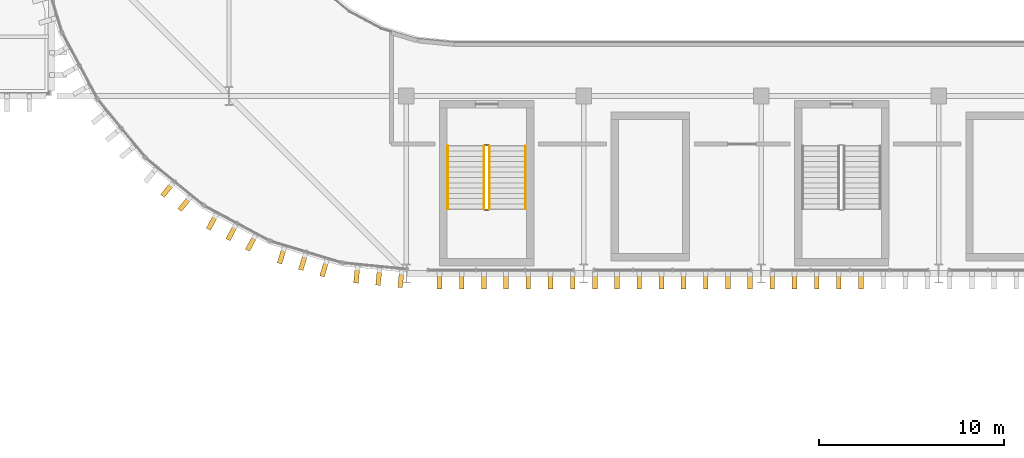
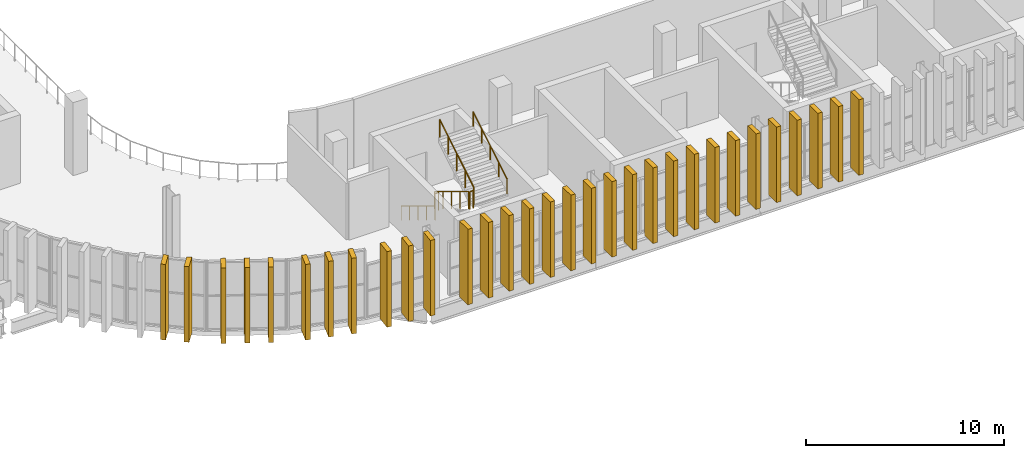
# One storey, part 76 of 92: 31 coverings, 6 railings.
"""IFC4 building model written with IfcOpenShell, lengths in metres."""

from ifc_helpers import new_model, si_unit, direction, frame, origin, origin_2d, place, context, subcontext, project, spatial, rectangle, circle, extrude, material, material_profile, profile_set, type_object, element, save


model = new_model("IFC4")

# Units and contexts
model_context = context("Model", 3, precision=1e-05, world=origin(), true_north=direction((0.0, 1.0)))
body_context = subcontext(model_context, "Body", "Model", "MODEL_VIEW")
ifc_project = project(units=[si_unit("LENGTHUNIT", "METRE"), si_unit("AREAUNIT", "SQUARE_METRE"), si_unit("VOLUMEUNIT", "CUBIC_METRE"), si_unit("PLANEANGLEUNIT", "RADIAN"), si_unit("MASSUNIT", "GRAM", prefix="KILO")], contexts=[model_context])

# Site, building, storey
site_placement = place(None, origin())
site = spatial("IfcSite", under=ifc_project, at=site_placement, CompositionType="ELEMENT")
building_placement = place(site_placement, origin())
building = spatial("IfcBuilding", under=site, at=building_placement, Name="Caelomonte Colonnade Arena", CompositionType="ELEMENT")
storey_placement = place(building_placement, frame((0.0, 0.0, 9.60009765625)))
storey = spatial("IfcBuildingStorey", under=building, at=storey_placement, Name="L02", CompositionType="ELEMENT", Elevation=9.60009765625)

# Coverings
ifc_material_1 = material(Name="Precast travertine cladding", Category="masonry")
ifc_material_profile = material_profile(ifc_material_1, rectangle(XDim=0.260009765625, YDim=0.85009765625, at=origin_2d()), Name="FIN260X850")
ifc_profile_set = profile_set([ifc_material_profile], Name="Precast travertine cladding")
covering_type = type_object("IfcCoveringType", Name="ENV-FN-SHAFT", PredefinedType="CLADDING", material=ifc_profile_set)
for number, where, z_axis, x_axis, name in (
    (1, (63.874755859375, 23.719482421875, -0.16015625), (0.0, 0.0, 1.0), (-0.77299384472, 0.634413521313, 0.0), "V1 L02 classical travertine vertical fin 228"),
    (2, (64.802490234375, 22.958251953125, -0.16015625), (0.0, 0.0, 1.0), (-0.77299384472, 0.634413521313, 0.0), "V1 L02 classical travertine vertical fin 229"),
    (3, (66.29150390625, 21.963134765625, -0.16015625), (0.0, 0.0, 1.0), (-0.881921264348, 0.471396736826, 0.0), "V1 L02 classical travertine vertical fin 230"),
    (4, (67.349853515625, 21.3974609375, -0.16015625), (0.0, 0.0, 1.0), (-0.881921264348, 0.471396736826, 0.0), "V1 L02 classical travertine vertical fin 231"),
    (5, (68.408203125, 20.831787109375, -0.16015625), (0.0, 0.0, 1.0), (-0.881921264348, 0.471396736826, 0.0), "V1 L02 classical travertine vertical fin 232"),
    (6, (70.062744140625, 20.146484375, -0.16015625), (0.0, 0.0, 1.0), (-0.956942868907, 0.290276326364, 0.0), "V1 L02 classical travertine vertical fin 233"),
    (7, (71.211181640625, 19.798095703125, -0.16015625), (0.0, 0.0, 1.0), (-0.956942868907, 0.290276326364, 0.0), "V1 L02 classical travertine vertical fin 234"),
    (8, (72.359619140625, 19.44970703125, -0.16015625), (0.0, 0.0, 1.0), (-0.956942868907, 0.290276326364, 0.0), "V1 L02 classical travertine vertical fin 235"),
    (9, (74.1162109375, 19.100341796875, -0.16015625), (0.0, 0.0, 1.0), (-0.995184897743, 0.098015403404, 0.0), "V1 L02 classical travertine vertical fin 236"),
    (10, (75.310302734375, 18.98291015625, -0.16015625), (0.0, 0.0, 1.0), (-0.995184897743, 0.098015403404, 0.0), "V1 L02 classical travertine vertical fin 237"),
    (11, (76.50439453125, 18.865234375, -0.16015625), (0.0, 0.0, 1.0), (-0.995184897743, 0.098015403404, 0.0), "V1 L02 classical travertine vertical fin 238"),
    (12, (78.60009765625, 18.779052734375, -0.16015625), (0.0, 0.0, 1.0), (-1.0, 0.0, 0.0), "V1 L02 classical travertine vertical fin 239"),
    (13, (79.800048828125, 18.779052734375, -0.16015625), (0.0, 0.0, 1.0), (-1.0, 0.0, 0.0), "V1 L02 classical travertine vertical fin 240"),
    (14, (81.0, 18.779052734375, -0.16015625), (0.0, 0.0, 1.0), (-1.0, 0.0, 0.0), "V1 L02 classical travertine vertical fin 241"),
    (15, (82.199951171875, 18.779052734375, -0.16015625), (0.0, 0.0, 1.0), (-1.0, 0.0, 0.0), "V1 L02 classical travertine vertical fin 242"),
    (16, (83.39990234375, 18.779052734375, -0.16015625), (0.0, 0.0, 1.0), (-1.0, 0.0, 0.0), "V1 L02 classical travertine vertical fin 243"),
    (17, (84.60009765625, 18.779052734375, -0.16015625), (0.0, 0.0, 1.0), (-1.0, 0.0, 0.0), "V1 L02 classical travertine vertical fin 244"),
    (18, (85.800048828125, 18.779052734375, -0.16015625), (0.0, 0.0, 1.0), (-1.0, 0.0, 0.0), "V1 L02 classical travertine vertical fin 245"),
    (19, (87.0, 18.779052734375, -0.16015625), (0.0, 0.0, 1.0), (-1.0, 0.0, 0.0), "V1 L02 classical travertine vertical fin 246"),
    (20, (88.199951171875, 18.779052734375, -0.16015625), (0.0, 0.0, 1.0), (-1.0, 0.0, 0.0), "V1 L02 classical travertine vertical fin 247"),
    (21, (89.39990234375, 18.779052734375, -0.16015625), (0.0, 0.0, 1.0), (-1.0, 0.0, 0.0), "V1 L02 classical travertine vertical fin 248"),
    (22, (90.60009765625, 18.779052734375, -0.16015625), (0.0, 0.0, 1.0), (-1.0, 0.0, 0.0), "V1 L02 classical travertine vertical fin 249"),
    (23, (91.800048828125, 18.779052734375, -0.16015625), (0.0, 0.0, 1.0), (-1.0, 0.0, 0.0), "V1 L02 classical travertine vertical fin 250"),
    (24, (93.0, 18.779052734375, -0.16015625), (0.0, 0.0, 1.0), (-1.0, 0.0, 0.0), "V1 L02 classical travertine vertical fin 251"),
    (25, (94.199951171875, 18.779052734375, -0.16015625), (0.0, 0.0, 1.0), (-1.0, 0.0, 0.0), "V1 L02 classical travertine vertical fin 252"),
    (26, (95.39990234375, 18.779052734375, -0.16015625), (0.0, 0.0, 1.0), (-1.0, 0.0, 0.0), "V1 L02 classical travertine vertical fin 253"),
    (27, (96.60009765625, 18.779052734375, -0.16015625), (0.0, 0.0, 1.0), (-1.0, 0.0, 0.0), "V1 L02 classical travertine vertical fin 254"),
    (28, (97.800048828125, 18.779052734375, -0.16015625), (0.0, 0.0, 1.0), (-1.0, 0.0, 0.0), "V1 L02 classical travertine vertical fin 255"),
    (29, (99.0, 18.779052734375, -0.16015625), (0.0, 0.0, 1.0), (-1.0, 0.0, 0.0), "V1 L02 classical travertine vertical fin 256"),
    (30, (100.199951171875, 18.779052734375, -0.16015625), (0.0, 0.0, 1.0), (-1.0, 0.0, 0.0), "V1 L02 classical travertine vertical fin 257"),
    (31, (101.39990234375, 18.779052734375, -0.16015625), (0.0, 0.0, 1.0), (-1.0, 0.0, 0.0), "V1 L02 classical travertine vertical fin 258"),
):
    element("IfcCovering", number, at=place(storey_placement, frame(where, z_axis=z_axis, x_axis=x_axis)), inside=storey, type_object=covering_type, Name=name, PredefinedType="CLADDING", context=body_context, shape_type="SweptSolid", body=[
        extrude(rectangle(XDim=0.260009765625, YDim=0.85009765625, at=origin_2d()), origin(), (0.0, 0.0, 1.0), 4.66015625),
    ])

# Railings
ifc_material_2 = material(Name="Painted galvanized steel stair guard", Category="steel")
railing_type_1 = type_object("IfcRailingType", Name="INT-RL-GRD", PredefinedType="GUARDRAIL", material=ifc_material_2)
railing_1_placement = place(storey_placement, frame((81.0, 26.10009765625, 0.173095703125)))
element("IfcRailing", 32, at=railing_1_placement, inside=storey, type_object=railing_type_1, Name="L02 ST-11 stair guard 1", PredefinedType="GUARDRAIL", context=body_context, shape_type="SweptSolid", body=[
    extrude(circle(Radius=0.02392578125, at=origin_2d()), frame((0.0, 0.0, 1.076171875), z_axis=(0.0, -0.854745945586, 0.519046595696), x_axis=(1.0, 0.0, 0.0)), (0.0, 0.0, 1.0), 4.00146484375),
    extrude(circle(Radius=0.02099609375, at=origin_2d()), origin(), (0.0, 0.0, 1.0), 1.048095703125),
    extrude(circle(Radius=0.02099609375, at=origin_2d()), frame((0.0, -0.85498046875, 0.519287109375)), (0.0, 0.0, 1.0), 1.048095703125),
    extrude(circle(Radius=0.02099609375, at=origin_2d()), frame((0.0, -1.7099609375, 1.03857421875)), (0.0, 0.0, 1.0), 1.048095703125),
    extrude(circle(Radius=0.02099609375, at=origin_2d()), frame((0.0, -2.565185546875, 1.5576171875)), (0.0, 0.0, 1.0), 1.048095703125),
    extrude(circle(Radius=0.02099609375, at=origin_2d()), frame((0.0, -3.420166015625, 2.076904296875)), (0.0, 0.0, 1.0), 1.048095703125),
])
railing_2_placement = place(storey_placement, frame((81.050048828125, 22.6298828125, 2.25)))
element("IfcRailing", 33, at=railing_2_placement, inside=storey, type_object=railing_type_1, Name="L02 ST-11 stair guard 2", PredefinedType="GUARDRAIL", context=body_context, shape_type="SweptSolid", body=[
    extrude(circle(Radius=0.02392578125, at=origin_2d()), frame((0.0, 0.0, 1.076171875), z_axis=(1.0, 0.0, 0.0), x_axis=(0.0, 1.0, 0.0)), (0.0, 0.0, 1.0), 0.199951171875),
    extrude(circle(Radius=0.02099609375, at=origin_2d()), origin(), (0.0, 0.0, 1.0), 1.048095703125),
    extrude(circle(Radius=0.02099609375, at=origin_2d()), frame((0.199951171875, 0.0, 0.0)), (0.0, 0.0, 1.0), 1.048095703125),
])
railing_3_placement = place(storey_placement, frame((81.300048828125, 22.679931640625, 2.423095703125)))
element("IfcRailing", 34, at=railing_3_placement, inside=storey, type_object=railing_type_1, Name="L02 ST-11 stair guard 3", PredefinedType="GUARDRAIL", context=body_context, shape_type="SweptSolid", body=[
    extrude(circle(Radius=0.02392578125, at=origin_2d()), frame((0.0, 0.0, 1.076171875), z_axis=(0.0, 0.854745945586, 0.519046595696), x_axis=(-1.0, 0.0, 0.0)), (0.0, 0.0, 1.0), 4.00146484375),
    extrude(circle(Radius=0.02099609375, at=origin_2d()), origin(), (0.0, 0.0, 1.0), 1.048095703125),
    extrude(circle(Radius=0.02099609375, at=origin_2d()), frame((0.0, 0.85498046875, 0.519287109375)), (0.0, 0.0, 1.0), 1.048095703125),
    extrude(circle(Radius=0.02099609375, at=origin_2d()), frame((0.0, 1.7099609375, 1.03857421875)), (0.0, 0.0, 1.0), 1.048095703125),
    extrude(circle(Radius=0.02099609375, at=origin_2d()), frame((0.0, 2.565185546875, 1.5576171875)), (0.0, 0.0, 1.0), 1.048095703125),
    extrude(circle(Radius=0.02099609375, at=origin_2d()), frame((0.0, 3.420166015625, 2.076904296875)), (0.0, 0.0, 1.0), 1.048095703125),
])
railing_4_placement = place(storey_placement, frame((81.050048828125, 26.14990234375, 0.0)))
element("IfcRailing", 35, at=railing_4_placement, inside=storey, type_object=railing_type_1, Name="L02 ST-11 stair guard 4", PredefinedType="GUARDRAIL", context=body_context, shape_type="SweptSolid", body=[
    extrude(circle(Radius=0.02392578125, at=origin_2d()), frame((0.0, 0.0, 1.076171875), z_axis=(1.0, 0.0, 0.0), x_axis=(0.0, 1.0, 0.0)), (0.0, 0.0, 1.0), 0.199951171875),
    extrude(circle(Radius=0.02099609375, at=origin_2d()), origin(), (0.0, 0.0, 1.0), 1.048095703125),
    extrude(circle(Radius=0.02099609375, at=origin_2d()), frame((0.199951171875, 0.0, 0.0)), (0.0, 0.0, 1.0), 1.048095703125),
])
ifc_material_3 = material(Name="Brushed stainless steel stair handrail", Category="steel")
railing_type_2 = type_object("IfcRailingType", Name="INT-RL-HR", PredefinedType="HANDRAIL", material=ifc_material_3)
railing_5_placement = place(storey_placement, frame((79.050048828125, 26.10009765625, 0.173095703125)))
element("IfcRailing", 36, at=railing_5_placement, inside=storey, type_object=railing_type_2, Name="L02 ST-11 stair handrail 1", PredefinedType="HANDRAIL", context=body_context, shape_type="SweptSolid", body=[
    extrude(circle(Radius=0.02392578125, at=origin_2d()), frame((0.0, 0.0, 0.8759765625), z_axis=(0.0, -0.854745945586, 0.519046595696), x_axis=(1.0, 0.0, 0.0)), (0.0, 0.0, 1.0), 4.00146484375),
    extrude(circle(Radius=0.02099609375, at=origin_2d()), origin(), (0.0, 0.0, 1.0), 0.847900390625),
    extrude(circle(Radius=0.02099609375, at=origin_2d()), frame((0.0, -0.85498046875, 0.519287109375)), (0.0, 0.0, 1.0), 0.847900390625),
    extrude(circle(Radius=0.02099609375, at=origin_2d()), frame((0.0, -1.7099609375, 1.03857421875)), (0.0, 0.0, 1.0), 0.847900390625),
    extrude(circle(Radius=0.02099609375, at=origin_2d()), frame((0.0, -2.565185546875, 1.5576171875)), (0.0, 0.0, 1.0), 0.847900390625),
    extrude(circle(Radius=0.02099609375, at=origin_2d()), frame((0.0, -3.420166015625, 2.076904296875)), (0.0, 0.0, 1.0), 0.847900390625),
])
railing_6_placement = place(storey_placement, frame((83.25, 22.679931640625, 2.423095703125)))
element("IfcRailing", 37, at=railing_6_placement, inside=storey, type_object=railing_type_2, Name="L02 ST-11 stair handrail 2", PredefinedType="HANDRAIL", context=body_context, shape_type="SweptSolid", body=[
    extrude(circle(Radius=0.02392578125, at=origin_2d()), frame((0.0, 0.0, 0.8759765625), z_axis=(0.0, 0.854745945586, 0.519046595696), x_axis=(-1.0, 0.0, 0.0)), (0.0, 0.0, 1.0), 4.00146484375),
    extrude(circle(Radius=0.02099609375, at=origin_2d()), origin(), (0.0, 0.0, 1.0), 0.847900390625),
    extrude(circle(Radius=0.02099609375, at=origin_2d()), frame((0.0, 0.85498046875, 0.519287109375)), (0.0, 0.0, 1.0), 0.847900390625),
    extrude(circle(Radius=0.02099609375, at=origin_2d()), frame((0.0, 1.7099609375, 1.03857421875)), (0.0, 0.0, 1.0), 0.847900390625),
    extrude(circle(Radius=0.02099609375, at=origin_2d()), frame((0.0, 2.565185546875, 1.5576171875)), (0.0, 0.0, 1.0), 0.847900390625),
    extrude(circle(Radius=0.02099609375, at=origin_2d()), frame((0.0, 3.420166015625, 2.076904296875)), (0.0, 0.0, 1.0), 0.847900390625),
])

save(model, "model.ifc")
